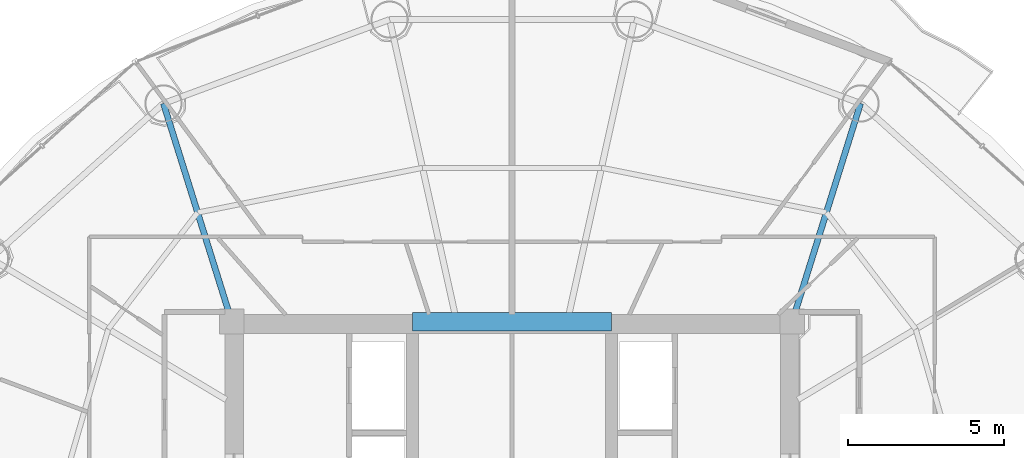
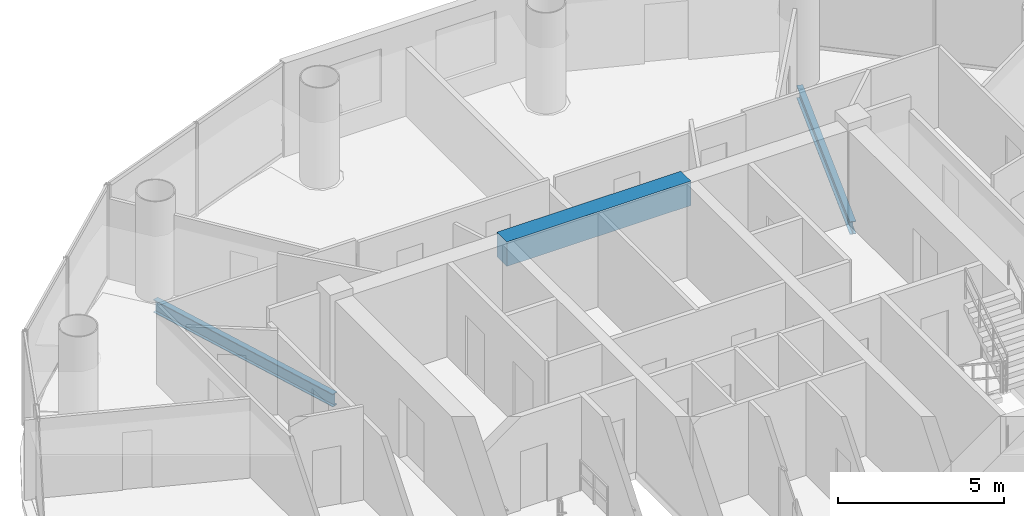
# One storey, part 9 of 26: 3 beams.
"""IFC4 building model written with IfcOpenShell, lengths in metres."""

from ifc_helpers import new_model, si_unit, direction, frame, origin, origin_2d, place, context, subcontext, project, spatial, rectangle, i_section, extrude, material, material_profile, profile_set, type_object, element, save


model = new_model("IFC4")

# Units and contexts
model_context = context("Model", 3, precision=1e-05, world=origin(), true_north=direction((-0.2419218956, 0.970295726276)))
body_context = subcontext(model_context, "Body", "Model", "MODEL_VIEW")
ifc_project = project(units=[si_unit("LENGTHUNIT", "METRE"), si_unit("AREAUNIT", "SQUARE_METRE"), si_unit("VOLUMEUNIT", "CUBIC_METRE"), si_unit("PLANEANGLEUNIT", "RADIAN"), si_unit("MASSUNIT", "GRAM", prefix="KILO")], contexts=[model_context])

# Site, building, storey
site_placement = place(None, origin())
site = spatial("IfcSite", under=ifc_project, at=site_placement, CompositionType="ELEMENT")
building_placement = place(site_placement, origin())
building = spatial("IfcBuilding", under=site, at=building_placement, Name="Cobrevalo Terracotta Tower", CompositionType="ELEMENT")
storey_placement = place(building_placement, frame((0.0, 0.0, 202.300048828125)))
storey = spatial("IfcBuildingStorey", under=building, at=storey_placement, Name="L53", CompositionType="ELEMENT", Elevation=202.300048828125)

# Beams
ifc_material_1 = material(Name="Concrete C60", Category="concrete")
ifc_material_profile_1 = material_profile(ifc_material_1, rectangle(XDim=0.60009765625, YDim=0.89990234375, at=origin_2d()), Name="RC CB 600x900")
ifc_profile_set_1 = profile_set([ifc_material_profile_1], Name="Concrete C60")
beam_type_1 = type_object("IfcBeamType", Name="Structural Beam RC CB 600x900 (Concrete C60)", PredefinedType="BEAM", material=ifc_profile_set_1)
beam_placement = place(storey_placement, frame((34.800048828125, 34.800048828125, 2.98486328125), z_axis=(1.0, 0.0, 0.0), x_axis=(0.0, 1.0, 0.0)))
element("IfcBeam", 1, at=beam_placement, inside=storey, type_object=beam_type_1, Name="L53 core coupling beam 2", PredefinedType="BEAM", context=body_context, shape_type="SweptSolid", body=[
    extrude(rectangle(XDim=0.60009765625, YDim=0.89990234375, at=origin_2d()), origin(), (0.0, 0.0, 1.0), 6.39990234375),
])
ifc_material_2 = material(Name="Steel S355", Category="steel")
ifc_material_profile_2 = material_profile(ifc_material_2, i_section(OverallWidth=0.194091796875, OverallDepth=0.468994140625, WebThickness=0.011474609375, FlangeThickness=0.0205078125, at=origin_2d()), Name="W 460x106")
ifc_profile_set_2 = profile_set([ifc_material_profile_2], Name="Steel S355")
beam_type_2 = type_object("IfcBeamType", Name="Structural Beam W 460x106 (Steel S355)", PredefinedType="BEAM", material=ifc_profile_set_2)
for number, where, z_axis, x_axis, name in (
    (2, (49.19482421875, 41.80810546875, -0.49951171875), (-0.298871212691, -0.954293454984, 0.0), (0.954293454984, -0.298871212691, 0.0), "L53 radial floor girder 03"),
    (3, (26.80517578125, 41.80810546875, -0.49951171875), (0.298871212691, -0.954293454984, 0.0), (0.954293454984, 0.298871212691, 0.0), "L53 radial floor girder 06"),
):
    element("IfcBeam", number, at=place(storey_placement, frame(where, z_axis=z_axis, x_axis=x_axis)), inside=storey, type_object=beam_type_2, Name=name, PredefinedType="BEAM", context=body_context, shape_type="SweptSolid", body=[
        extrude(i_section(OverallWidth=0.194091796875, OverallDepth=0.468994140625, WebThickness=0.011474609375, FlangeThickness=0.0205078125, at=origin_2d()), origin(), (0.0, 0.0, 1.0), 7.34375),
    ])

save(model, "model.ifc")
